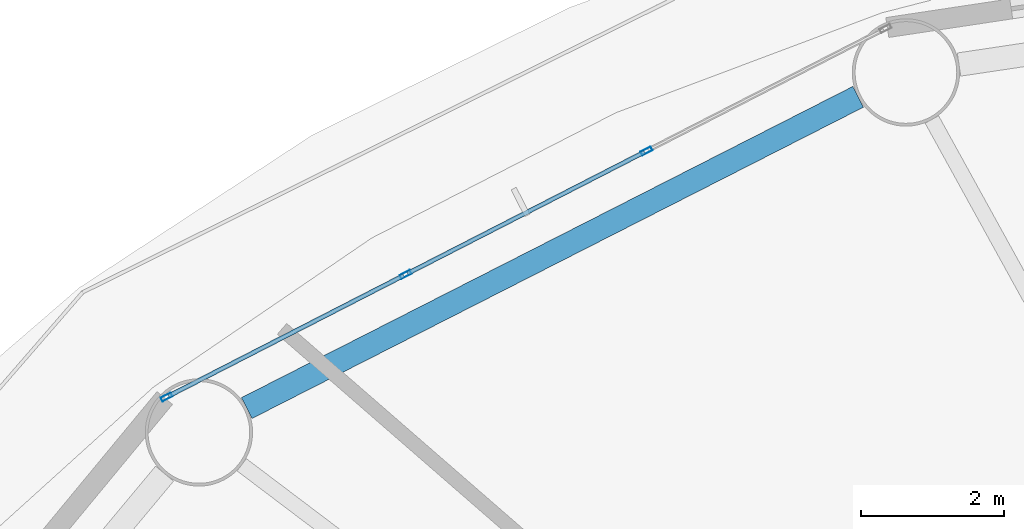
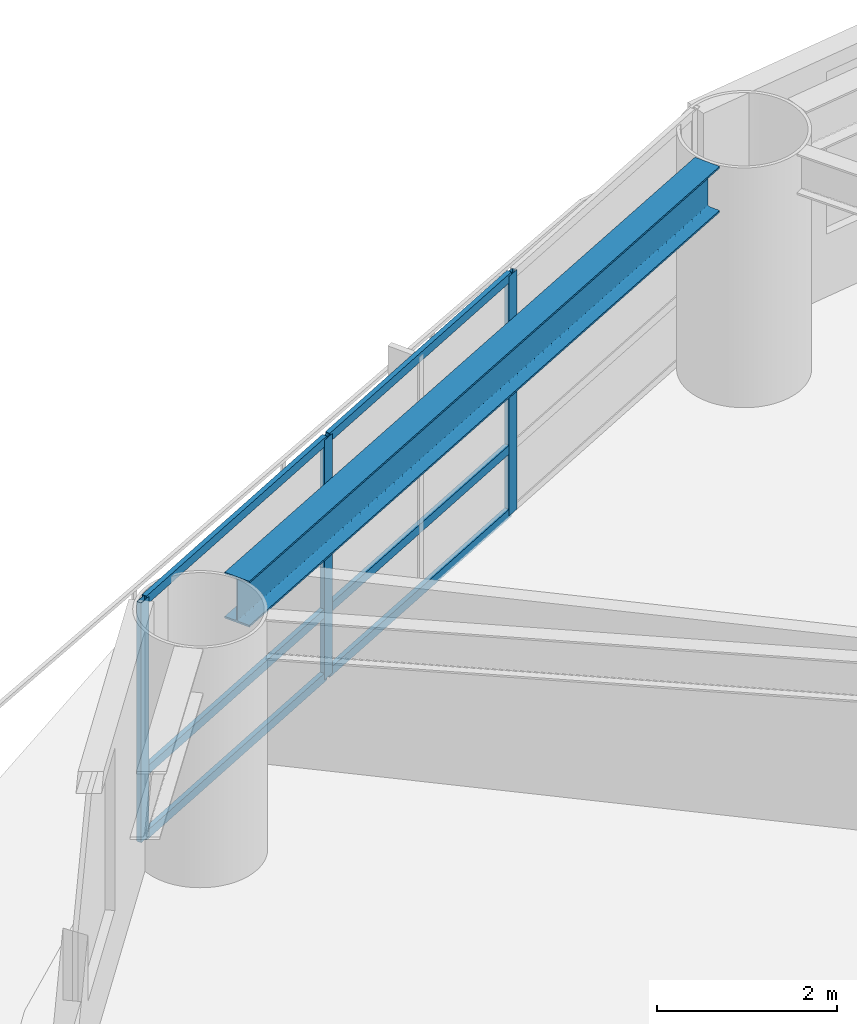
# One storey, part 9 of 27: 9 members, 1 beam, 1 element without a shape of its own.
"""IFC4 building model written with IfcOpenShell, lengths in metres."""

from ifc_helpers import new_model, si_unit, direction, frame, origin, origin_2d, place, context, subcontext, project, spatial, hollow_rectangle, i_section, extrude, material, layer, layer_set, material_profile, profile_set, type_object, element, aggregate, save


model = new_model("IFC4")

# Units and contexts
model_context = context("Model", 3, precision=1e-05, world=origin(), true_north=direction((0.0, 1.0)))
body_context = subcontext(model_context, "Body", "Model", "MODEL_VIEW")
ifc_project = project(units=[si_unit("LENGTHUNIT", "METRE"), si_unit("AREAUNIT", "SQUARE_METRE"), si_unit("VOLUMEUNIT", "CUBIC_METRE"), si_unit("PLANEANGLEUNIT", "RADIAN"), si_unit("MASSUNIT", "GRAM", prefix="KILO")], contexts=[model_context])

# Site, building, storey
site_placement = place(None, origin())
site = spatial("IfcSite", under=ifc_project, at=site_placement, CompositionType="ELEMENT")
building_placement = place(site_placement, origin())
building = spatial("IfcBuilding", under=site, at=building_placement, Name="Sarneth Arch Tower", CompositionType="ELEMENT")
storey_placement = place(building_placement, frame((0.0, 0.0, 75.0)))
storey = spatial("IfcBuildingStorey", under=building, at=storey_placement, Name="L18", CompositionType="ELEMENT", Elevation=75.0)

# Beam
ifc_material_1 = material(Name="Steel S355", Category="steel")
ifc_material_profile_1 = material_profile(ifc_material_1, i_section(OverallWidth=0.326904296875, OverallDepth=0.6220703125, WebThickness=0.015380859375, FlangeThickness=0.0244140625, FilletRadius=0.01904296875, at=origin_2d()), Name="W610x195")
ifc_profile_set_1 = profile_set([ifc_material_profile_1], Name="Steel S355")
beam_type = type_object("IfcBeamType", Name="BM-SPAN-610A", PredefinedType="SPANDREL", material=ifc_profile_set_1)
beam_placement = place(storey_placement, frame((35.513916015625, 63.09375, 2.93896484375), z_axis=(-0.891169106887, -0.453671271882, 0.0), x_axis=(0.453671271882, -0.891169106887, 0.0)))
element("IfcBeam", 1, at=beam_placement, inside=storey, type_object=beam_type, Name="L18 Perimeter spandrel beam 06", PredefinedType="SPANDREL", context=body_context, shape_type="SweptSolid", body=[
    extrude(i_section(OverallWidth=0.326904296875, OverallDepth=0.6220703125, WebThickness=0.015380859375, FlangeThickness=0.0244140625, FilletRadius=0.01904296875, at=origin_2d()), origin(), (0.0, 0.0, 1.0), 9.58544921875),
])

# Curtain wall, members
ifc_material_2 = material(Name="Anodised aluminium Type AA25 and solar-control low-e laminated IGU", Category="aluminium")
ifc_layer = layer(ifc_material_2, 0.159912109375)
ifc_layer_set = layer_set([ifc_layer], Name="Anodised aluminium Type AA25 and solar-control low-e laminated IGU")
curtain_wall_type = type_object("IfcCurtainWallType", Name="CW-HOTEL-LOW", PredefinedType="NOTDEFINED", material=ifc_layer_set)
curtain_wall_placement = place(storey_placement, origin())
curtain_wall = element("IfcCurtainWall", 2, at=curtain_wall_placement, inside=storey, type_object=curtain_wall_type, Name="L18 Unitised curtain wall facet 06", PredefinedType="NOTDEFINED")
ifc_material_3 = material(Name="Anodised Aluminium 6063-T6", Category="aluminium")
ifc_material_profile_2 = material_profile(ifc_material_3, hollow_rectangle(XDim=0.06005859375, YDim=0.159912109375, WallThickness=0.00390625, at=origin_2d()), Name="AL-MULL-160x60x4")
ifc_profile_set_2 = profile_set([ifc_material_profile_2], Name="Anodised Aluminium 6063-T6")
member_type_1 = type_object("IfcMemberType", Name="CW-MULLION", PredefinedType="MULLION", material=ifc_profile_set_2)
member_1_placement = place(storey_placement, frame((32.556640625, 62.336669921875, 0.0), z_axis=(0.0, 0.0, 1.0), x_axis=(0.456245197127, -0.889854100456, 0.0)))
member_1 = element("IfcMember", 3, at=member_1_placement, type_object=member_type_1, Name="CW-SYS-3 mullion 2", PredefinedType="MULLION", context=body_context, shape_type="SweptSolid", body=[
    extrude(hollow_rectangle(XDim=0.06005859375, YDim=0.159912109375, WallThickness=0.00390625, at=origin_2d()), origin(), (0.0, 0.0, 1.0), 3.25),
])
member_2_placement = place(storey_placement, frame((29.19140625, 60.611328125, 0.0), z_axis=(0.0, 0.0, 1.0), x_axis=(0.456245197127, -0.889854100456, 0.0)))
member_2 = element("IfcMember", 4, at=member_2_placement, type_object=member_type_1, Name="CW-SYS-3 mullion 3", PredefinedType="MULLION", context=body_context, shape_type="SweptSolid", body=[
    extrude(hollow_rectangle(XDim=0.06005859375, YDim=0.159912109375, WallThickness=0.00390625, at=origin_2d()), origin(), (0.0, 0.0, 1.0), 3.25),
])
member_3_placement = place(storey_placement, frame((25.8525390625, 58.8994140625, 0.0), z_axis=(0.0, 0.0, 1.0), x_axis=(0.456245197127, -0.889854100456, 0.0)))
member_3 = element("IfcMember", 5, at=member_3_placement, type_object=member_type_1, Name="CW-SYS-3 mullion 4", PredefinedType="MULLION", context=body_context, shape_type="SweptSolid", body=[
    extrude(hollow_rectangle(XDim=0.06005859375, YDim=0.159912109375, WallThickness=0.00390625, at=origin_2d()), origin(), (0.0, 0.0, 1.0), 3.25),
])
ifc_material_4 = material(Name="Anodised Aluminium 6063-T6", Category="aluminium")
ifc_material_profile_3 = material_profile(ifc_material_4, hollow_rectangle(XDim=0.06005859375, YDim=0.1201171875, WallThickness=0.00390625, at=origin_2d()), Name="AL-TRAN-120x60x4")
ifc_profile_set_3 = profile_set([ifc_material_profile_3], Name="Anodised Aluminium 6063-T6")
member_type_2 = type_object("IfcMemberType", Name="CW-TRANSOM", PredefinedType="USERDEFINED", material=ifc_profile_set_3)
member_4_placement = place(storey_placement, frame((32.530029296875, 62.322998046875, 0.030029296875), z_axis=(-0.889868677022, -0.456216766083, 0.0), x_axis=(0.456216766083, -0.889868677022, 0.0)))
member_4 = element("IfcMember", 6, at=member_4_placement, type_object=member_type_2, Name="CW-SYS-3 transom 2.1", ObjectType="TRANSOM", PredefinedType="USERDEFINED", context=body_context, shape_type="SweptSolid", body=[
    extrude(hollow_rectangle(XDim=0.06005859375, YDim=0.1201171875, WallThickness=0.00390625, at=origin_2d()), origin(), (0.0, 0.0, 1.0), 3.721923828125),
])
member_5_placement = place(storey_placement, frame((32.530029296875, 62.322998046875, 0.89990234375), z_axis=(-0.889868677022, -0.456216766083, 0.0), x_axis=(0.456216766083, -0.889868677022, 0.0)))
member_5 = element("IfcMember", 7, at=member_5_placement, type_object=member_type_2, Name="CW-SYS-3 transom 2.2", ObjectType="TRANSOM", PredefinedType="USERDEFINED", context=body_context, shape_type="SweptSolid", body=[
    extrude(hollow_rectangle(XDim=0.06005859375, YDim=0.1201171875, WallThickness=0.00390625, at=origin_2d()), origin(), (0.0, 0.0, 1.0), 3.721923828125),
])
member_6_placement = place(storey_placement, frame((32.530029296875, 62.322998046875, 3.219970703125), z_axis=(-0.889868677022, -0.456216766083, 0.0), x_axis=(0.456216766083, -0.889868677022, 0.0)))
member_6 = element("IfcMember", 8, at=member_6_placement, type_object=member_type_2, Name="CW-SYS-3 transom 2.3", ObjectType="TRANSOM", PredefinedType="USERDEFINED", context=body_context, shape_type="SweptSolid", body=[
    extrude(hollow_rectangle(XDim=0.06005859375, YDim=0.1201171875, WallThickness=0.00390625, at=origin_2d()), origin(), (0.0, 0.0, 1.0), 3.721923828125),
])
member_7_placement = place(storey_placement, frame((29.16455078125, 60.597412109375, 0.030029296875), z_axis=(-0.889871845224, -0.456210586327, 0.0), x_axis=(0.456210586327, -0.889871845224, 0.0)))
member_7 = element("IfcMember", 9, at=member_7_placement, type_object=member_type_2, Name="CW-SYS-3 transom 3.1", ObjectType="TRANSOM", PredefinedType="USERDEFINED", context=body_context, shape_type="SweptSolid", body=[
    extrude(hollow_rectangle(XDim=0.06005859375, YDim=0.1201171875, WallThickness=0.00390625, at=origin_2d()), origin(), (0.0, 0.0, 1.0), 3.69189453125),
])
member_8_placement = place(storey_placement, frame((29.16455078125, 60.597412109375, 0.89990234375), z_axis=(-0.889871845224, -0.456210586327, 0.0), x_axis=(0.456210586327, -0.889871845224, 0.0)))
member_8 = element("IfcMember", 10, at=member_8_placement, type_object=member_type_2, Name="CW-SYS-3 transom 3.2", ObjectType="TRANSOM", PredefinedType="USERDEFINED", context=body_context, shape_type="SweptSolid", body=[
    extrude(hollow_rectangle(XDim=0.06005859375, YDim=0.1201171875, WallThickness=0.00390625, at=origin_2d()), origin(), (0.0, 0.0, 1.0), 3.69189453125),
])
member_9_placement = place(storey_placement, frame((29.16455078125, 60.597412109375, 3.219970703125), z_axis=(-0.889871845224, -0.456210586327, 0.0), x_axis=(0.456210586327, -0.889871845224, 0.0)))
member_9 = element("IfcMember", 11, at=member_9_placement, type_object=member_type_2, Name="CW-SYS-3 transom 3.3", ObjectType="TRANSOM", PredefinedType="USERDEFINED", context=body_context, shape_type="SweptSolid", body=[
    extrude(hollow_rectangle(XDim=0.06005859375, YDim=0.1201171875, WallThickness=0.00390625, at=origin_2d()), origin(), (0.0, 0.0, 1.0), 3.69189453125),
])
aggregate(curtain_wall, [member_1, member_2, member_3, member_4, member_5, member_6, member_7, member_8, member_9])

save(model, "model.ifc")
